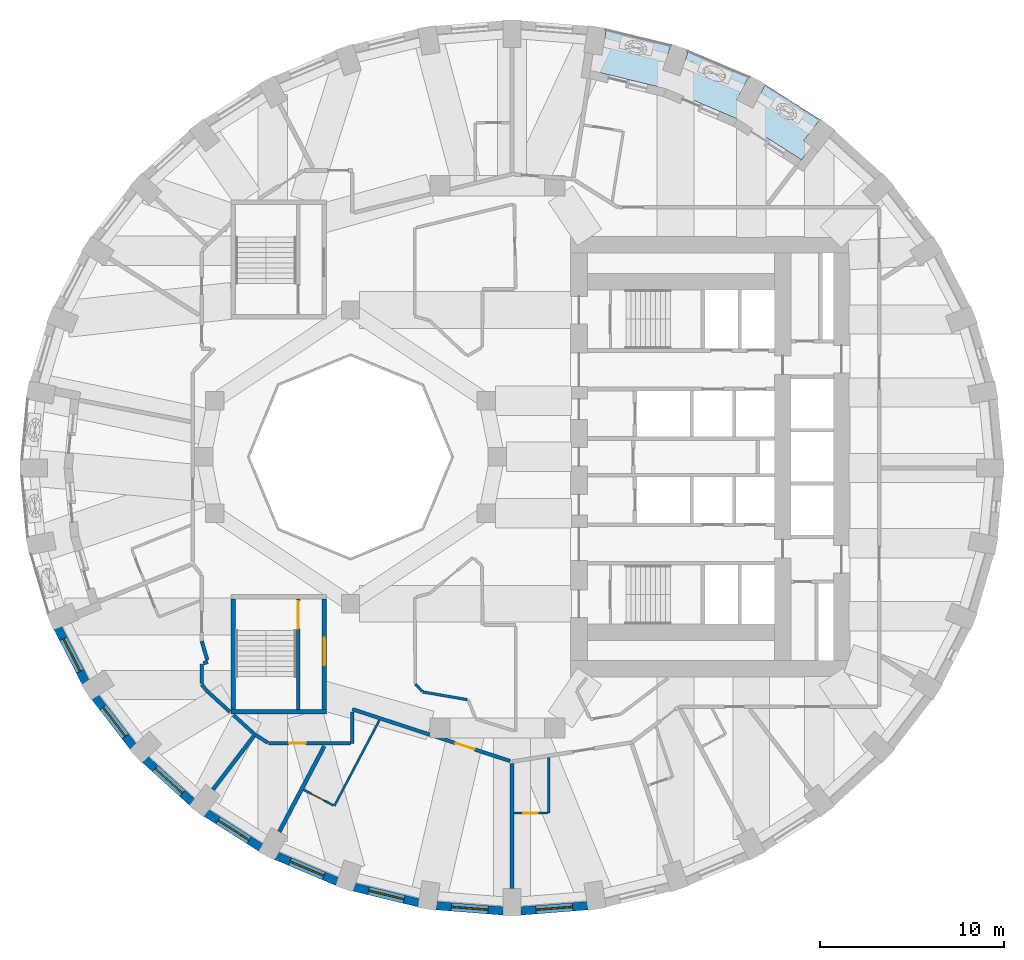
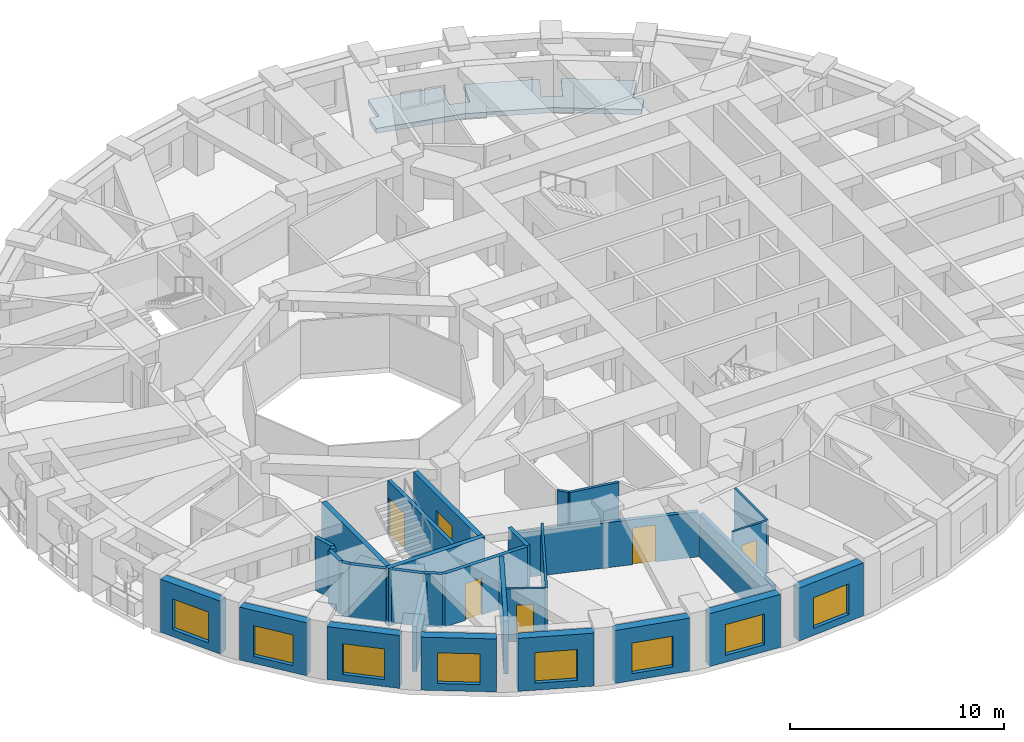
# One storey, part 3 of 12: 31 walls, 8 windows, 6 doors, 1 slab, 14 openings.
"""IFC4 building model written with IfcOpenShell, lengths in metres."""

from ifc_helpers import new_model, si_unit, direction, frame, frame_2d, origin, place, context, subcontext, project, spatial, polyline, rectangle, outline, extrude, material, layer, layer_set, type_object, element, fill, save


model = new_model("IFC4")

# Units and contexts
model_context = context("Model", 3, precision=1e-05, world=origin(), true_north=direction((0.0, 1.0)))
body_context = subcontext(model_context, "Body", "Model", "MODEL_VIEW")
ifc_project = project(units=[si_unit("LENGTHUNIT", "METRE"), si_unit("AREAUNIT", "SQUARE_METRE"), si_unit("VOLUMEUNIT", "CUBIC_METRE"), si_unit("PLANEANGLEUNIT", "RADIAN"), si_unit("MASSUNIT", "GRAM", prefix="KILO")], contexts=[model_context])

# Site, building, storey
site_placement = place(None, origin())
site = spatial("IfcSite", under=ifc_project, at=site_placement, CompositionType="ELEMENT")
building_placement = place(site_placement, origin())
building = spatial("IfcBuilding", under=site, at=building_placement, Name="Taillehof Tower", CompositionType="ELEMENT")
storey_placement = place(building_placement, frame((0.0, 0.0, 102.10009765625)))
storey = spatial("IfcBuildingStorey", under=building, at=storey_placement, Name="L28", CompositionType="ELEMENT", Elevation=102.10009765625)

# Slab
ifc_material_1 = material(Name="Concrete C40/50", Category="concrete")
ifc_layer_1 = layer(ifc_material_1, 0.280029296875)
ifc_layer_set_1 = layer_set([ifc_layer_1], Name="Balcony slab 280")
slab_type = type_object("IfcSlabType", Name="Balcony slab 280", PredefinedType="USERDEFINED", material=ifc_layer_set_1)
slab_placement = place(storey_placement, frame((0.0, 0.0, -0.280029296875)))
element("IfcSlab", 1, at=slab_placement, inside=storey, type_object=slab_type, Name="Balcony L28 pocket 1", ObjectType="BALCONY", PredefinedType="USERDEFINED", context=body_context, shape_type="SweptSolid", body=[
    extrude(outline(polyline([(5.0732421875, 21.0595703125), (5.216064453125, 21.9482421875), (5.6982421875, 21.870849609375), (5.929931640625, 23.313232421875), (9.45751953125, 22.45263671875), (8.9990234375, 21.069091796875), (9.9482421875, 20.754638671875), (10.40771484375, 22.14111328125), (13.710693359375, 20.73876953125), (13.033447265625, 19.4501953125), (13.918701171875, 18.985107421875), (14.597900390625, 20.27734375), (17.574462890625, 18.379638671875), (16.69189453125, 17.224609375), (17.116455078125, 16.900146484375), (16.56982421875, 16.184326171875), (13.083251953125, 18.40673828125), (9.211181640625, 20.05029296875), (5.0732421875, 21.0595703125)])), origin(), (0.0, 0.0, 1.0), 0.280029296875),
])

# Wall, opening, window
ifc_material_2 = material(Name="Brick masonry", Category="masonry")
ifc_layer_2 = layer(ifc_material_2, 0.449951171875)
ifc_layer_set_2 = layer_set([ifc_layer_2], Name="Brick infill wall 450")
wall_type_1 = type_object("IfcWallType", Name="Brick infill wall 450", PredefinedType="SOLIDWALL", material=ifc_layer_set_2)
wall_1_placement = place(storey_placement, frame((-23.9453125, -9.312255859375, 0.0), z_axis=(0.0, 0.0, 1.0), x_axis=(0.456828186229, -0.889554949549, 0.0)))
wall_1 = element("IfcWall", 2, at=wall_1_placement, inside=storey, type_object=wall_type_1, Name="Brick wall L28 bay 21", PredefinedType="SOLIDWALL", context=body_context, shape_type="SweptSolid", body=[
    extrude(rectangle(XDim=3.332763671875, YDim=0.449951171875, at=frame_2d((1.66650390625, 0.0))), origin(), (0.0, 0.0, 1.0), 3.02001953125),
])
opening_1_placement = place(wall_1_placement, frame((0.666259765625, 0.0, 0.39990234375)))
opening_1 = element("IfcOpeningElement", 3, at=opening_1_placement, cuts=wall_1, Name="Opening W2", PredefinedType="OPENING", context=body_context, shape_type="SweptSolid", body=[
    extrude(rectangle(XDim=2.0, YDim=1.75, at=frame_2d((1.0, 0.875))), frame((0.0, 0.23486328125, 0.0), z_axis=(0.0, -1.0, 0.0), x_axis=(1.0, 0.0, 0.0)), (0.0, 0.0, 1.0), 0.469970703125),
])
ifc_material_3 = material(Name="Aluminium window frame with clear double glazing", Category="aluminium")
window_type = type_object("IfcWindowType", Name="Deep-set window 2000x1750", PartitioningType="SINGLE_PANEL", PredefinedType="WINDOW", material=ifc_material_3)
window_1_placement = place(opening_1_placement, origin())
window_1 = element("IfcWindow", 4, at=window_1_placement, inside=storey, type_object=window_type, Name="W2", OverallHeight=1.75, OverallWidth=2.0, PartitioningType="SINGLE_PANEL", PredefinedType="WINDOW", context=body_context, shape_type="SweptSolid", body=[
    extrude(rectangle(XDim=2.0, YDim=1.75, at=frame_2d((1.0, 0.875))), frame((0.0, 0.034912109375, 0.0), z_axis=(0.0, -1.0, 0.0), x_axis=(1.0, 0.0, 0.0)), (0.0, 0.0, 1.0), 0.06005859375),
])
fill(opening_1, window_1)

wall_2_placement = place(storey_placement, frame((-21.908203125, -13.08740234375, 0.0), z_axis=(0.0, 0.0, 1.0), x_axis=(0.610693945156, -0.791866721961, 0.0)))
wall_2 = element("IfcWall", 5, at=wall_2_placement, inside=storey, type_object=wall_type_1, Name="Brick wall L28 bay 22", PredefinedType="SOLIDWALL", context=body_context, shape_type="SweptSolid", body=[
    extrude(rectangle(XDim=3.39453125, YDim=0.449951171875, at=frame_2d((1.697265625, 0.0))), origin(), (0.0, 0.0, 1.0), 3.02001953125),
])
opening_2_placement = place(wall_2_placement, frame((0.697265625, 0.0, 0.39990234375)))
opening_2 = element("IfcOpeningElement", 6, at=opening_2_placement, cuts=wall_2, Name="Opening W2", PredefinedType="OPENING", context=body_context, shape_type="SweptSolid", body=[
    extrude(rectangle(XDim=2.0, YDim=1.75, at=frame_2d((1.0, 0.875))), frame((0.0, 0.23486328125, 0.0), z_axis=(0.0, -1.0, 0.0), x_axis=(1.0, 0.0, 0.0)), (0.0, 0.0, 1.0), 0.469970703125),
])
window_2_placement = place(opening_2_placement, origin())
window_2 = element("IfcWindow", 7, at=window_2_placement, inside=storey, type_object=window_type, Name="W2", OverallHeight=1.75, OverallWidth=2.0, PartitioningType="SINGLE_PANEL", PredefinedType="WINDOW", context=body_context, shape_type="SweptSolid", body=[
    extrude(rectangle(XDim=2.0, YDim=1.75, at=frame_2d((1.0, 0.875))), frame((0.0, 0.034912109375, 0.0), z_axis=(0.0, -1.0, 0.0), x_axis=(1.0, 0.0, 0.0)), (0.0, 0.0, 1.0), 0.06005859375),
])
fill(opening_2, window_2)

wall_3_placement = place(storey_placement, frame((-19.18408203125, -16.481201171875, 0.0), z_axis=(0.0, 0.0, 1.0), x_axis=(0.740364106106, -0.672206062446, 0.0)))
wall_3 = element("IfcWall", 8, at=wall_3_placement, inside=storey, type_object=wall_type_1, Name="Brick wall L28 bay 23", PredefinedType="SOLIDWALL", context=body_context, shape_type="SweptSolid", body=[
    extrude(rectangle(XDim=3.4638671875, YDim=0.449951171875, at=frame_2d((1.73193359375, 0.0))), origin(), (0.0, 0.0, 1.0), 3.02001953125),
])
opening_3_placement = place(wall_3_placement, frame((0.73193359375, 0.0, 0.39990234375)))
opening_3 = element("IfcOpeningElement", 9, at=opening_3_placement, cuts=wall_3, Name="Opening W2", PredefinedType="OPENING", context=body_context, shape_type="SweptSolid", body=[
    extrude(rectangle(XDim=2.0, YDim=1.75, at=frame_2d((1.0, 0.875))), frame((0.0, 0.23486328125, 0.0), z_axis=(0.0, -1.0, 0.0), x_axis=(1.0, 0.0, 0.0)), (0.0, 0.0, 1.0), 0.469970703125),
])
window_3_placement = place(opening_3_placement, origin())
window_3 = element("IfcWindow", 10, at=window_3_placement, inside=storey, type_object=window_type, Name="W2", OverallHeight=1.75, OverallWidth=2.0, PartitioningType="SINGLE_PANEL", PredefinedType="WINDOW", context=body_context, shape_type="SweptSolid", body=[
    extrude(rectangle(XDim=2.0, YDim=1.75, at=frame_2d((1.0, 0.875))), frame((0.0, 0.034912109375, 0.0), z_axis=(0.0, -1.0, 0.0), x_axis=(1.0, 0.0, 0.0)), (0.0, 0.0, 1.0), 0.06005859375),
])
fill(opening_3, window_3)

wall_4_placement = place(storey_placement, frame((-15.856201171875, -19.39208984375, 0.0), z_axis=(0.0, 0.0, 1.0), x_axis=(0.843891947083, -0.53651317006, 0.0)))
wall_4 = element("IfcWall", 11, at=wall_4_placement, inside=storey, type_object=wall_type_1, Name="Brick wall L28 bay 24", PredefinedType="SOLIDWALL", context=body_context, shape_type="SweptSolid", body=[
    extrude(rectangle(XDim=3.531982421875, YDim=0.449951171875, at=frame_2d((1.76611328125, 0.0))), origin(), (0.0, 0.0, 1.0), 3.02001953125),
])
opening_4_placement = place(wall_4_placement, frame((0.76611328125, 0.0, 0.39990234375)))
opening_4 = element("IfcOpeningElement", 12, at=opening_4_placement, cuts=wall_4, Name="Opening W2", PredefinedType="OPENING", context=body_context, shape_type="SweptSolid", body=[
    extrude(rectangle(XDim=2.0, YDim=1.75, at=frame_2d((1.0, 0.875))), frame((0.0, 0.23486328125, 0.0), z_axis=(0.0, -1.0, 0.0), x_axis=(1.0, 0.0, 0.0)), (0.0, 0.0, 1.0), 0.469970703125),
])
window_4_placement = place(opening_4_placement, origin())
window_4 = element("IfcWindow", 13, at=window_4_placement, inside=storey, type_object=window_type, Name="W2", OverallHeight=1.75, OverallWidth=2.0, PartitioningType="SINGLE_PANEL", PredefinedType="WINDOW", context=body_context, shape_type="SweptSolid", body=[
    extrude(rectangle(XDim=2.0, YDim=1.75, at=frame_2d((1.0, 0.875))), frame((0.0, 0.034912109375, 0.0), z_axis=(0.0, -1.0, 0.0), x_axis=(1.0, 0.0, 0.0)), (0.0, 0.0, 1.0), 0.06005859375),
])
fill(opening_4, window_4)

wall_5_placement = place(storey_placement, frame((-12.025390625, -21.7333984375, 0.0), z_axis=(0.0, 0.0, 1.0), x_axis=(0.920879975612, -0.389846213932, 0.0)))
wall_5 = element("IfcWall", 14, at=wall_5_placement, inside=storey, type_object=wall_type_1, Name="Brick wall L28 bay 25", PredefinedType="SOLIDWALL", context=body_context, shape_type="SweptSolid", body=[
    extrude(rectangle(XDim=3.591552734375, YDim=0.449951171875, at=frame_2d((1.7958984375, 0.0))), origin(), (0.0, 0.0, 1.0), 3.02001953125),
])
opening_5_placement = place(wall_5_placement, frame((0.795654296875, 0.0, 0.39990234375)))
opening_5 = element("IfcOpeningElement", 15, at=opening_5_placement, cuts=wall_5, Name="Opening W2", PredefinedType="OPENING", context=body_context, shape_type="SweptSolid", body=[
    extrude(rectangle(XDim=2.0, YDim=1.75, at=frame_2d((1.0, 0.875))), frame((0.0, 0.23486328125, 0.0), z_axis=(0.0, -1.0, 0.0), x_axis=(1.0, 0.0, 0.0)), (0.0, 0.0, 1.0), 0.469970703125),
])
window_5_placement = place(opening_5_placement, origin())
window_5 = element("IfcWindow", 16, at=window_5_placement, inside=storey, type_object=window_type, Name="W2", OverallHeight=1.75, OverallWidth=2.0, PartitioningType="SINGLE_PANEL", PredefinedType="WINDOW", context=body_context, shape_type="SweptSolid", body=[
    extrude(rectangle(XDim=2.0, YDim=1.75, at=frame_2d((1.0, 0.875))), frame((0.0, 0.034912109375, 0.0), z_axis=(0.0, -1.0, 0.0), x_axis=(1.0, 0.0, 0.0)), (0.0, 0.0, 1.0), 0.06005859375),
])
fill(opening_5, window_5)

wall_6_placement = place(storey_placement, frame((-7.806640625, -23.435302734375, 0.0), z_axis=(0.0, 0.0, 1.0), x_axis=(0.971667603162, -0.236351579148, 0.0)))
wall_6 = element("IfcWall", 17, at=wall_6_placement, inside=storey, type_object=wall_type_1, Name="Brick wall L28 bay 26", PredefinedType="SOLIDWALL", context=body_context, shape_type="SweptSolid", body=[
    extrude(rectangle(XDim=3.635009765625, YDim=0.449951171875, at=frame_2d((1.8173828125, 0.0))), origin(), (0.0, 0.0, 1.0), 3.02001953125),
])
opening_6_placement = place(wall_6_placement, frame((0.8173828125, 0.0, 0.39990234375)))
opening_6 = element("IfcOpeningElement", 18, at=opening_6_placement, cuts=wall_6, Name="Opening W2", PredefinedType="OPENING", context=body_context, shape_type="SweptSolid", body=[
    extrude(rectangle(XDim=2.0, YDim=1.75, at=frame_2d((1.0, 0.875))), frame((0.0, 0.23486328125, 0.0), z_axis=(0.0, -1.0, 0.0), x_axis=(1.0, 0.0, 0.0)), (0.0, 0.0, 1.0), 0.469970703125),
])
window_6_placement = place(opening_6_placement, origin())
window_6 = element("IfcWindow", 19, at=window_6_placement, inside=storey, type_object=window_type, Name="W2", OverallHeight=1.75, OverallWidth=2.0, PartitioningType="SINGLE_PANEL", PredefinedType="WINDOW", context=body_context, shape_type="SweptSolid", body=[
    extrude(rectangle(XDim=2.0, YDim=1.75, at=frame_2d((1.0, 0.875))), frame((0.0, 0.034912109375, 0.0), z_axis=(0.0, -1.0, 0.0), x_axis=(1.0, 0.0, 0.0)), (0.0, 0.0, 1.0), 0.06005859375),
])
fill(opening_6, window_6)

wall_7_placement = place(storey_placement, frame((-3.32666015625, -24.446533203125, 0.0), z_axis=(0.0, 0.0, 1.0), x_axis=(0.996862216754, -0.079156306178, 0.0)))
wall_7 = element("IfcWall", 20, at=wall_7_placement, inside=storey, type_object=wall_type_1, Name="Brick wall L28 bay 27", PredefinedType="SOLIDWALL", context=body_context, shape_type="SweptSolid", body=[
    extrude(rectangle(XDim=3.657958984375, YDim=0.449951171875, at=frame_2d((1.8291015625, 0.0))), origin(), (0.0, 0.0, 1.0), 3.02001953125),
])
opening_7_placement = place(wall_7_placement, frame((0.8291015625, 0.0, 0.39990234375)))
opening_7 = element("IfcOpeningElement", 21, at=opening_7_placement, cuts=wall_7, Name="Opening W2", PredefinedType="OPENING", context=body_context, shape_type="SweptSolid", body=[
    extrude(rectangle(XDim=2.0, YDim=1.75, at=frame_2d((1.0, 0.875))), frame((0.0, 0.23486328125, 0.0), z_axis=(0.0, -1.0, 0.0), x_axis=(1.0, 0.0, 0.0)), (0.0, 0.0, 1.0), 0.469970703125),
])
window_7_placement = place(opening_7_placement, origin())
window_7 = element("IfcWindow", 22, at=window_7_placement, inside=storey, type_object=window_type, Name="W2", OverallHeight=1.75, OverallWidth=2.0, PartitioningType="SINGLE_PANEL", PredefinedType="WINDOW", context=body_context, shape_type="SweptSolid", body=[
    extrude(rectangle(XDim=2.0, YDim=1.75, at=frame_2d((1.0, 0.875))), frame((0.0, 0.034912109375, 0.0), z_axis=(0.0, -1.0, 0.0), x_axis=(1.0, 0.0, 0.0)), (0.0, 0.0, 1.0), 0.06005859375),
])
fill(opening_7, window_7)

wall_8_placement = place(storey_placement, frame((1.280029296875, -24.736083984375, 0.0), z_axis=(0.0, 0.0, 1.0), x_axis=(0.996862216754, 0.079156306178, 0.0)))
wall_8 = element("IfcWall", 23, at=wall_8_placement, inside=storey, type_object=wall_type_1, Name="Brick wall L28 bay 28", PredefinedType="SOLIDWALL", context=body_context, shape_type="SweptSolid", body=[
    extrude(rectangle(XDim=3.657958984375, YDim=0.449951171875, at=frame_2d((1.8291015625, 0.0))), origin(), (0.0, 0.0, 1.0), 3.02001953125),
])
opening_8_placement = place(wall_8_placement, frame((0.8291015625, 0.0, 0.39990234375)))
opening_8 = element("IfcOpeningElement", 24, at=opening_8_placement, cuts=wall_8, Name="Opening W2", PredefinedType="OPENING", context=body_context, shape_type="SweptSolid", body=[
    extrude(rectangle(XDim=2.0, YDim=1.75, at=frame_2d((1.0, 0.875))), frame((0.0, 0.23486328125, 0.0), z_axis=(0.0, -1.0, 0.0), x_axis=(1.0, 0.0, 0.0)), (0.0, 0.0, 1.0), 0.469970703125),
])
window_8_placement = place(opening_8_placement, origin())
window_8 = element("IfcWindow", 25, at=window_8_placement, inside=storey, type_object=window_type, Name="W2", OverallHeight=1.75, OverallWidth=2.0, PartitioningType="SINGLE_PANEL", PredefinedType="WINDOW", context=body_context, shape_type="SweptSolid", body=[
    extrude(rectangle(XDim=2.0, YDim=1.75, at=frame_2d((1.0, 0.875))), frame((0.0, 0.034912109375, 0.0), z_axis=(0.0, -1.0, 0.0), x_axis=(1.0, 0.0, 0.0)), (0.0, 0.0, 1.0), 0.06005859375),
])
fill(opening_8, window_8)

# Walls
ifc_material_4 = material(Name="Gypsum board on steel studs, two layers each side", Category="steel")
ifc_layer_3 = layer(ifc_material_4, 0.199951171875)
ifc_layer_set_3 = layer_set([ifc_layer_3], Name="Compartment wall corridor 200")
wall_type_2 = type_object("IfcWallType", Name="Compartment wall corridor 200", PredefinedType="PARTITIONING", material=ifc_layer_set_3)
wall_9_placement = place(storey_placement, frame((-14.5595703125, -13.891357421875, 0.0), z_axis=(0.0, 0.0, 1.0), x_axis=(-0.739440483737, 0.673221932954, 0.0)))
element("IfcWall", 26, at=wall_9_placement, inside=storey, type_object=wall_type_2, Name="Compartment wall", PredefinedType="PARTITIONING", context=body_context, shape_type="SweptSolid", body=[
    extrude(rectangle(XDim=1.74755859375, YDim=0.199951171875, at=frame_2d((0.873779296875, 0.0))), origin(), (0.0, 0.0, 1.0), 3.02001953125),
])
wall_10_placement = place(storey_placement, frame((-15.864013671875, -12.698974609375, 0.0), z_axis=(0.0, 0.0, 1.0), x_axis=(-0.61004607296, 0.792365943782, 0.0)))
element("IfcWall", 27, at=wall_10_placement, inside=storey, type_object=wall_type_2, Name="Compartment wall", PredefinedType="PARTITIONING", context=body_context, shape_type="SweptSolid", body=[
    extrude(rectangle(XDim=0.386962890625, YDim=0.199951171875, at=frame_2d((0.193359375, 0.0))), origin(), (0.0, 0.0, 1.0), 3.02001953125),
])
wall_11_placement = place(storey_placement, frame((-16.10009765625, -12.332275390625, 0.0), z_axis=(0.0, 0.0, 1.0), x_axis=(0.0, 1.0, 0.0)))
element("IfcWall", 28, at=wall_11_placement, inside=storey, type_object=wall_type_2, Name="Compartment wall", PredefinedType="PARTITIONING", context=body_context, shape_type="SweptSolid", body=[
    extrude(rectangle(XDim=1.044677734375, YDim=0.199951171875, at=frame_2d((0.5224609375, 0.0))), origin(), (0.0, 0.0, 1.0), 3.02001953125),
])
wall_12_placement = place(storey_placement, frame((-16.00732421875, -11.2509765625, 0.0), z_axis=(0.0, 0.0, 1.0), x_axis=(0.928016011931, 0.372540308691, 0.0)))
element("IfcWall", 29, at=wall_12_placement, inside=storey, type_object=wall_type_2, Name="Compartment wall", PredefinedType="PARTITIONING", context=body_context, shape_type="SweptSolid", body=[
    extrude(rectangle(XDim=0.25634765625, YDim=0.199951171875, at=frame_2d((0.128173828125, 0.0))), origin(), (0.0, 0.0, 1.0), 3.02001953125),
])
wall_13_placement = place(storey_placement, frame((-15.797607421875, -11.05908203125, 0.0), z_axis=(0.0, 0.0, 1.0), x_axis=(-0.282883185669, 0.959154368841, 0.0)))
element("IfcWall", 30, at=wall_13_placement, inside=storey, type_object=wall_type_2, Name="Compartment wall", PredefinedType="PARTITIONING", context=body_context, shape_type="SweptSolid", body=[
    extrude(rectangle(XDim=1.0693359375, YDim=0.199951171875, at=frame_2d((0.53466796875, 0.0))), origin(), (0.0, 0.0, 1.0), 3.02001953125),
])

# Wall, opening, door
wall_14_placement = place(storey_placement, frame((0.704833984375, -16.568359375, 0.0), z_axis=(0.0, 0.0, 1.0), x_axis=(-0.950067715644, 0.312043804122, 0.0)))
wall_14 = element("IfcWall", 31, at=wall_14_placement, inside=storey, type_object=wall_type_2, Name="Compartment wall", PredefinedType="PARTITIONING", context=body_context, shape_type="SweptSolid", body=[
    extrude(rectangle(XDim=9.056884765625, YDim=0.199951171875, at=frame_2d((4.5283203125, 0.0))), origin(), (0.0, 0.0, 1.0), 2.56982421875),
])
opening_9_placement = place(wall_14_placement, frame((2.044677734375, 0.0, 0.0)))
opening_9 = element("IfcOpeningElement", 32, at=opening_9_placement, cuts=wall_14, Name="Opening D2853", PredefinedType="OPENING", context=body_context, shape_type="SweptSolid", body=[
    extrude(rectangle(XDim=1.10009765625, YDim=2.10009765625, at=frame_2d((0.550048828125, 1.050048828125))), frame((0.0, 0.10986328125, 0.0), z_axis=(0.0, -1.0, 0.0), x_axis=(1.0, 0.0, 0.0)), (0.0, 0.0, 1.0), 0.219970703125),
])
ifc_material_5 = material(Name="Timber door leaf in steel frame", Category="steel")
door_type_1 = type_object("IfcDoorType", Name="Suite entrance door EI 30 1100 x 2100", OperationType="SINGLE_SWING_LEFT", PredefinedType="DOOR", material=ifc_material_5)
door_1_placement = place(opening_9_placement, origin())
door_1 = element("IfcDoor", 33, at=door_1_placement, inside=storey, type_object=door_type_1, Name="D2853", OperationType="SINGLE_SWING_LEFT", OverallHeight=2.10009765625, OverallWidth=1.10009765625, PredefinedType="DOOR", context=body_context, shape_type="SweptSolid", body=[
    extrude(rectangle(XDim=1.10009765625, YDim=2.10009765625, at=frame_2d((0.550048828125, 1.050048828125))), frame((0.0, 0.02490234375, 0.0), z_axis=(0.0, -1.0, 0.0), x_axis=(1.0, 0.0, 0.0)), (0.0, 0.0, 1.0), 0.050048828125),
])
fill(opening_9, door_1)

# Wall
wall_15_placement = place(storey_placement, frame((-7.89990234375, -13.88232421875, 0.0), z_axis=(0.0, 0.0, 1.0), x_axis=(0.0, -1.0, 0.0)))
element("IfcWall", 34, at=wall_15_placement, inside=storey, type_object=wall_type_2, Name="Compartment wall", PredefinedType="PARTITIONING", context=body_context, shape_type="SweptSolid", body=[
    extrude(rectangle(XDim=1.7177734375, YDim=0.199951171875, at=frame_2d((0.85888671875, 0.0))), origin(), (0.0, 0.0, 1.0), 3.02001953125),
])

# Wall, opening, door
wall_16_placement = place(storey_placement, frame((-8.0, -15.60009765625, 0.0), z_axis=(0.0, 0.0, 1.0), x_axis=(-1.0, 0.0, 0.0)))
wall_16 = element("IfcWall", 35, at=wall_16_placement, inside=storey, type_object=wall_type_2, Name="Compartment wall", PredefinedType="PARTITIONING", context=body_context, shape_type="SweptSolid", body=[
    extrude(rectangle(XDim=4.450927734375, YDim=0.199951171875, at=frame_2d((2.2255859375, 0.0))), origin(), (0.0, 0.0, 1.0), 3.02001953125),
])
opening_10_placement = place(wall_16_placement, frame((2.441650390625, 0.0, 0.0)))
opening_10 = element("IfcOpeningElement", 36, at=opening_10_placement, cuts=wall_16, Name="Opening D2852", PredefinedType="OPENING", context=body_context, shape_type="SweptSolid", body=[
    extrude(rectangle(XDim=0.89990234375, YDim=2.10009765625, at=frame_2d((0.449951171875, 1.050048828125))), frame((0.0, 0.10986328125, 0.0), z_axis=(0.0, -1.0, 0.0), x_axis=(1.0, 0.0, 0.0)), (0.0, 0.0, 1.0), 0.219970703125),
])
ifc_material_6 = material(Name="Timber door leaf in steel frame", Category="steel")
door_type_2 = type_object("IfcDoorType", Name="Service room door EI 30 900 x 2100", OperationType="SINGLE_SWING_LEFT", PredefinedType="DOOR", material=ifc_material_6)
door_2_placement = place(opening_10_placement, origin())
door_2 = element("IfcDoor", 37, at=door_2_placement, inside=storey, type_object=door_type_2, Name="D2852", OperationType="SINGLE_SWING_LEFT", OverallHeight=2.10009765625, OverallWidth=0.89990234375, PredefinedType="DOOR", context=body_context, shape_type="SweptSolid", body=[
    extrude(rectangle(XDim=0.89990234375, YDim=2.10009765625, at=frame_2d((0.449951171875, 1.050048828125))), frame((0.0, 0.02490234375, 0.0), z_axis=(0.0, -1.0, 0.0), x_axis=(1.0, 0.0, 0.0)), (0.0, 0.0, 1.0), 0.050048828125),
])
fill(opening_10, door_2)

# Walls
wall_17_placement = place(storey_placement, frame((-12.50146484375, -15.56787109375, 0.0), z_axis=(0.0, 0.0, 1.0), x_axis=(-0.843169167706, 0.537648355926, 0.0)))
element("IfcWall", 38, at=wall_17_placement, inside=storey, type_object=wall_type_2, Name="Compartment wall", PredefinedType="PARTITIONING", context=body_context, shape_type="SweptSolid", body=[
    extrude(rectangle(XDim=0.858154296875, YDim=0.199951171875, at=frame_2d((0.42919921875, 0.0))), origin(), (0.0, 0.0, 1.0), 3.02001953125),
])
wall_18_placement = place(storey_placement, frame((-13.239990234375, -15.093017578125, 0.0), z_axis=(0.0, 0.0, 1.0), x_axis=(-0.739438095557, 0.673224556028, 0.0)))
element("IfcWall", 39, at=wall_18_placement, inside=storey, type_object=wall_type_2, Name="Compartment wall", PredefinedType="PARTITIONING", context=body_context, shape_type="SweptSolid", body=[
    extrude(rectangle(XDim=1.51904296875, YDim=0.199951171875, at=frame_2d((0.759521484375, 0.0))), origin(), (0.0, 0.0, 1.0), 3.02001953125),
])
ifc_material_7 = material(Name="Gypsum board on double steel studs with mineral wool", Category="steel")
ifc_layer_4 = layer(ifc_material_7, 0.219970703125)
ifc_layer_set_4 = layer_set([ifc_layer_4], Name="Compartment wall guest room 220")
wall_type_3 = type_object("IfcWallType", Name="Compartment wall guest room 220", PredefinedType="PARTITIONING", material=ifc_layer_set_4)
wall_19_placement = place(storey_placement, frame((-15.4892578125, -18.120849609375, 0.0), z_axis=(0.0, 0.0, 1.0), x_axis=(0.607082337972, 0.794638933681, 0.0)))
element("IfcWall", 40, at=wall_19_placement, inside=storey, type_object=wall_type_3, Name="Compartment wall", PredefinedType="PARTITIONING", context=body_context, shape_type="SweptSolid", body=[
    extrude(rectangle(XDim=3.672119140625, YDim=0.219970703125, at=frame_2d((1.8359375, 0.0))), origin(), (0.0, 0.0, 1.0), 2.56982421875),
])
wall_20_placement = place(storey_placement, frame((-11.8759765625, -20.417724609375, 0.0), z_axis=(0.0, 0.0, 1.0), x_axis=(0.465320539057, 0.885142246157, 0.0)))
element("IfcWall", 41, at=wall_20_placement, inside=storey, type_object=wall_type_3, Name="Compartment wall", PredefinedType="PARTITIONING", context=body_context, shape_type="SweptSolid", body=[
    extrude(rectangle(XDim=5.269287109375, YDim=0.219970703125, at=frame_2d((2.634765625, 0.0))), origin(), (0.0, 0.0, 1.0), 3.02001953125),
])
wall_21_placement = place(storey_placement, frame((0.800048828125, -23.5, 0.0), z_axis=(0.0, 0.0, 1.0), x_axis=(0.0, 1.0, 0.0)))
element("IfcWall", 42, at=wall_21_placement, inside=storey, type_object=wall_type_3, Name="Compartment wall", PredefinedType="PARTITIONING", context=body_context, shape_type="SweptSolid", body=[
    extrude(rectangle(XDim=6.7998046875, YDim=0.219970703125, at=frame_2d((3.39990234375, 0.0))), origin(), (0.0, 0.0, 1.0), 2.469970703125),
])
ifc_material_8 = material(Name="Gypsum board on steel studs, two layers each side", Category="steel")
ifc_layer_5 = layer(ifc_material_8, 0.14990234375)
ifc_layer_set_5 = layer_set([ifc_layer_5], Name="Compartment wall service room 150")
wall_type_4 = type_object("IfcWallType", Name="Compartment wall service room 150", PredefinedType="PARTITIONING", material=ifc_layer_set_5)
wall_22_placement = place(storey_placement, frame((-1.64501953125, -13.221923828125, 0.0), z_axis=(0.0, 0.0, 1.0), x_axis=(-0.985187584004, 0.171480098917, 0.0)))
element("IfcWall", 43, at=wall_22_placement, inside=storey, type_object=wall_type_4, Name="Compartment wall", PredefinedType="PARTITIONING", context=body_context, shape_type="SweptSolid", body=[
    extrude(rectangle(XDim=2.447265625, YDim=0.14990234375, at=frame_2d((1.2236328125, 0.0))), origin(), (0.0, 0.0, 1.0), 3.02001953125),
])
wall_23_placement = place(storey_placement, frame((-4.083984375, -12.7734375, 0.0), z_axis=(0.0, 0.0, 1.0), x_axis=(-0.692272471515, 0.72163621388, 0.0)))
element("IfcWall", 44, at=wall_23_placement, inside=storey, type_object=wall_type_4, Name="Compartment wall", PredefinedType="PARTITIONING", context=body_context, shape_type="SweptSolid", body=[
    extrude(rectangle(XDim=0.548828125, YDim=0.14990234375, at=frame_2d((0.2744140625, 0.0))), origin(), (0.0, 0.0, 1.0), 3.02001953125),
])
ifc_material_9 = material(Name="Gypsum board on steel studs, moisture resistant", Category="steel")
ifc_layer_6 = layer(ifc_material_9, 0.1201171875)
ifc_layer_set_6 = layer_set([ifc_layer_6], Name="En-suite wall 120")
wall_type_5 = type_object("IfcWallType", Name="En-suite wall 120", PredefinedType="PARTITIONING", material=ifc_layer_set_6)
wall_24_placement = place(storey_placement, frame((-6.427978515625, -14.351806640625, 0.0), z_axis=(0.0, 0.0, 1.0), x_axis=(-0.46531034676, -0.885147604187, 0.0)))
element("IfcWall", 45, at=wall_24_placement, inside=storey, type_object=wall_type_5, Name="En-suite wall", PredefinedType="PARTITIONING", context=body_context, shape_type="SweptSolid", body=[
    extrude(rectangle(XDim=5.261474609375, YDim=0.1201171875, at=frame_2d((2.630859375, 0.0))), origin(), (0.0, 0.0, 1.0), 3.02001953125),
])
wall_25_placement = place(storey_placement, frame((2.800048828125, -16.380859375, 0.0), z_axis=(0.0, 0.0, 1.0), x_axis=(0.0, -1.0, 0.0)))
element("IfcWall", 46, at=wall_25_placement, inside=storey, type_object=wall_type_5, Name="En-suite wall", PredefinedType="PARTITIONING", context=body_context, shape_type="SweptSolid", body=[
    extrude(rectangle(XDim=3.01904296875, YDim=0.1201171875, at=frame_2d((1.509521484375, 0.0))), origin(), (0.0, 0.0, 1.0), 3.02001953125),
])

# Wall, opening, door
wall_26_placement = place(storey_placement, frame((-8.929443359375, -18.981201171875, 0.0), z_axis=(0.0, 0.0, 1.0), x_axis=(-0.885114946598, 0.465372465139, 0.0)))
wall_26 = element("IfcWall", 47, at=wall_26_placement, inside=storey, type_object=wall_type_5, Name="En-suite wall", PredefinedType="PARTITIONING", context=body_context, shape_type="SweptSolid", body=[
    extrude(rectangle(XDim=1.829833984375, YDim=0.1201171875, at=frame_2d((0.9150390625, 0.0))), origin(), (0.0, 0.0, 1.0), 3.02001953125),
])
opening_11_placement = place(wall_26_placement, frame((0.539794921875, 0.0, 0.0)))
opening_11 = element("IfcOpeningElement", 48, at=opening_11_placement, cuts=wall_26, Name="Opening D2854", PredefinedType="OPENING", context=body_context, shape_type="SweptSolid", body=[
    extrude(rectangle(XDim=0.800048828125, YDim=2.10009765625, at=frame_2d((0.39990234375, 1.050048828125))), frame((0.0, 0.070068359375, 0.0), z_axis=(0.0, -1.0, 0.0), x_axis=(1.0, 0.0, 0.0)), (0.0, 0.0, 1.0), 0.14013671875),
])
ifc_material_10 = material(Name="Timber door leaf in steel frame", Category="steel")
door_type_3 = type_object("IfcDoorType", Name="En-suite door 800 x 2100", OperationType="SINGLE_SWING_LEFT", PredefinedType="DOOR", material=ifc_material_10)
door_3_placement = place(opening_11_placement, origin())
door_3 = element("IfcDoor", 49, at=door_3_placement, inside=storey, type_object=door_type_3, Name="D2854", OperationType="SINGLE_SWING_LEFT", OverallHeight=2.10009765625, OverallWidth=0.800048828125, PredefinedType="DOOR", context=body_context, shape_type="SweptSolid", body=[
    extrude(rectangle(XDim=0.800048828125, YDim=2.10009765625, at=frame_2d((0.39990234375, 1.050048828125))), frame((0.0, 0.02490234375, 0.0), z_axis=(0.0, -1.0, 0.0), x_axis=(1.0, 0.0, 0.0)), (0.0, 0.0, 1.0), 0.050048828125),
])
fill(opening_11, door_3)

wall_27_placement = place(storey_placement, frame((2.739990234375, -19.39990234375, 0.0), z_axis=(0.0, 0.0, 1.0), x_axis=(-1.0, 0.0, 0.0)))
wall_27 = element("IfcWall", 50, at=wall_27_placement, inside=storey, type_object=wall_type_5, Name="En-suite wall", PredefinedType="PARTITIONING", context=body_context, shape_type="SweptSolid", body=[
    extrude(rectangle(XDim=1.829833984375, YDim=0.1201171875, at=frame_2d((0.9150390625, 0.0))), origin(), (0.0, 0.0, 1.0), 3.02001953125),
])
opening_12_placement = place(wall_27_placement, frame((0.5400390625, 0.0, 0.0)))
opening_12 = element("IfcOpeningElement", 51, at=opening_12_placement, cuts=wall_27, Name="Opening D2856", PredefinedType="OPENING", context=body_context, shape_type="SweptSolid", body=[
    extrude(rectangle(XDim=0.800048828125, YDim=2.10009765625, at=frame_2d((0.39990234375, 1.050048828125))), frame((0.0, 0.070068359375, 0.0), z_axis=(0.0, -1.0, 0.0), x_axis=(1.0, 0.0, 0.0)), (0.0, 0.0, 1.0), 0.14013671875),
])
door_4_placement = place(opening_12_placement, origin())
door_4 = element("IfcDoor", 52, at=door_4_placement, inside=storey, type_object=door_type_3, Name="D2856", OperationType="SINGLE_SWING_RIGHT", OverallHeight=2.10009765625, OverallWidth=0.800048828125, PredefinedType="DOOR", context=body_context, shape_type="SweptSolid", body=[
    extrude(rectangle(XDim=0.800048828125, YDim=2.10009765625, at=frame_2d((0.39990234375, 1.050048828125))), frame((0.0, 0.02490234375, 0.0), z_axis=(0.0, -1.0, 0.0), x_axis=(1.0, 0.0, 0.0)), (0.0, 0.0, 1.0), 0.050048828125),
])
fill(opening_12, door_4)

ifc_material_11 = material(Name="Concrete C50/60", Category="concrete")
ifc_layer_7 = layer(ifc_material_11, 0.199951171875)
ifc_layer_set_7 = layer_set([ifc_layer_7], Name="Shaft wall C50/60 200")
wall_type_6 = type_object("IfcWallType", Name="Shaft wall C50/60 200", PredefinedType="SHEAR", material=ifc_layer_set_7)
wall_28_placement = place(storey_placement, frame((-10.85009765625, -13.75, 0.0), z_axis=(0.0, 0.0, 1.0), x_axis=(0.0, 1.0, 0.0)))
wall_28 = element("IfcWall", 53, at=wall_28_placement, inside=storey, type_object=wall_type_6, Name="Shaft wall SW", PredefinedType="SHEAR", context=body_context, shape_type="SweptSolid", body=[
    extrude(rectangle(XDim=6.0, YDim=0.199951171875, at=frame_2d((3.0, 0.0))), origin(), (0.0, 0.0, 1.0), 3.02001953125),
])
opening_13_placement = place(wall_28_placement, frame((4.39990234375, 0.0, 0.0)))
opening_13 = element("IfcOpeningElement", 54, at=opening_13_placement, cuts=wall_28, Name="Opening D2813", PredefinedType="OPENING", context=body_context, shape_type="SweptSolid", body=[
    extrude(rectangle(XDim=1.5, YDim=2.10009765625, at=frame_2d((0.75, 1.050048828125))), frame((0.0, 0.10986328125, 0.0), z_axis=(0.0, -1.0, 0.0), x_axis=(1.0, 0.0, 0.0)), (0.0, 0.0, 1.0), 0.219970703125),
])
ifc_material_12 = material(Name="Steel-faced fire door", Category="steel")
door_type_4 = type_object("IfcDoorType", Name="Stair door 1500x2100", OperationType="DOUBLE_DOOR_SINGLE_SWING", PredefinedType="DOOR", material=ifc_material_12)
door_5_placement = place(opening_13_placement, origin())
door_5 = element("IfcDoor", 55, at=door_5_placement, inside=storey, type_object=door_type_4, Name="Stair lobby door S4", OperationType="DOUBLE_DOOR_SINGLE_SWING", OverallHeight=2.10009765625, OverallWidth=1.5, PredefinedType="DOOR", context=body_context, shape_type="SweptSolid", body=[
    extrude(rectangle(XDim=1.5, YDim=2.10009765625, at=frame_2d((0.75, 1.050048828125))), frame((0.0, 0.02490234375, 0.0), z_axis=(0.0, -1.0, 0.0), x_axis=(1.0, 0.0, 0.0)), (0.0, 0.0, 1.0), 0.050048828125),
])
fill(opening_13, door_5)

# Wall
ifc_material_13 = material(Name="Concrete C50/60", Category="concrete")
ifc_layer_8 = layer(ifc_material_13, 0.25)
ifc_layer_set_8 = layer_set([ifc_layer_8], Name="Stair wall C50/60 250")
wall_type_7 = type_object("IfcWallType", Name="Stair wall C50/60 250", PredefinedType="SHEAR", material=ifc_layer_set_8)
wall_29_placement = place(storey_placement, frame((-14.375, -13.75, -0.280029296875), z_axis=(0.0, 0.0, 1.0), x_axis=(0.0, 1.0, 0.0)))
element("IfcWall", 56, at=wall_29_placement, inside=storey, type_object=wall_type_7, Name="Stair wall SC", PredefinedType="SHEAR", context=body_context, shape_type="SweptSolid", body=[
    extrude(rectangle(XDim=6.0, YDim=0.25, at=frame_2d((3.0, 0.0))), origin(), (0.0, 0.0, 1.0), 3.300048828125),
])

# Wall, opening, door
wall_30_placement = place(storey_placement, frame((-9.425048828125, -13.75, -0.280029296875), z_axis=(0.0, 0.0, 1.0), x_axis=(0.0, 1.0, 0.0)))
wall_30 = element("IfcWall", 57, at=wall_30_placement, inside=storey, type_object=wall_type_7, Name="Stair wall SC", PredefinedType="SHEAR", context=body_context, shape_type="SweptSolid", body=[
    extrude(rectangle(XDim=6.0, YDim=0.25, at=frame_2d((3.0, 0.0))), origin(), (0.0, 0.0, 1.0), 3.300048828125),
])
opening_14_placement = place(wall_30_placement, frame((2.39990234375, 0.0, 0.280029296875)))
opening_14 = element("IfcOpeningElement", 58, at=opening_14_placement, cuts=wall_30, Name="Opening D2820", PredefinedType="OPENING", context=body_context, shape_type="SweptSolid", body=[
    extrude(rectangle(XDim=1.5, YDim=2.10009765625, at=frame_2d((0.75, 1.050048828125))), frame((0.0, 0.135009765625, 0.0), z_axis=(0.0, -1.0, 0.0), x_axis=(1.0, 0.0, 0.0)), (0.0, 0.0, 1.0), 0.27001953125),
])
door_6_placement = place(opening_14_placement, origin())
door_6 = element("IfcDoor", 59, at=door_6_placement, inside=storey, type_object=door_type_4, Name="Stair door S4", OperationType="DOUBLE_DOOR_SINGLE_SWING", OverallHeight=2.10009765625, OverallWidth=1.5, PredefinedType="DOOR", context=body_context, shape_type="SweptSolid", body=[
    extrude(rectangle(XDim=1.5, YDim=2.10009765625, at=frame_2d((0.75, 1.050048828125))), frame((0.0, 0.02490234375, 0.0), z_axis=(0.0, -1.0, 0.0), x_axis=(1.0, 0.0, 0.0)), (0.0, 0.0, 1.0), 0.050048828125),
])
fill(opening_14, door_6)

# Wall
wall_31_placement = place(storey_placement, frame((-14.5, -13.875, -0.280029296875), z_axis=(0.0, 0.0, 1.0), x_axis=(1.0, 0.0, 0.0)))
element("IfcWall", 60, at=wall_31_placement, inside=storey, type_object=wall_type_7, Name="Stair wall SC", PredefinedType="SHEAR", context=body_context, shape_type="SweptSolid", body=[
    extrude(rectangle(XDim=5.199951171875, YDim=0.25, at=frame_2d((2.60009765625, 0.0))), origin(), (0.0, 0.0, 1.0), 3.300048828125),
])

save(model, "model.ifc")
